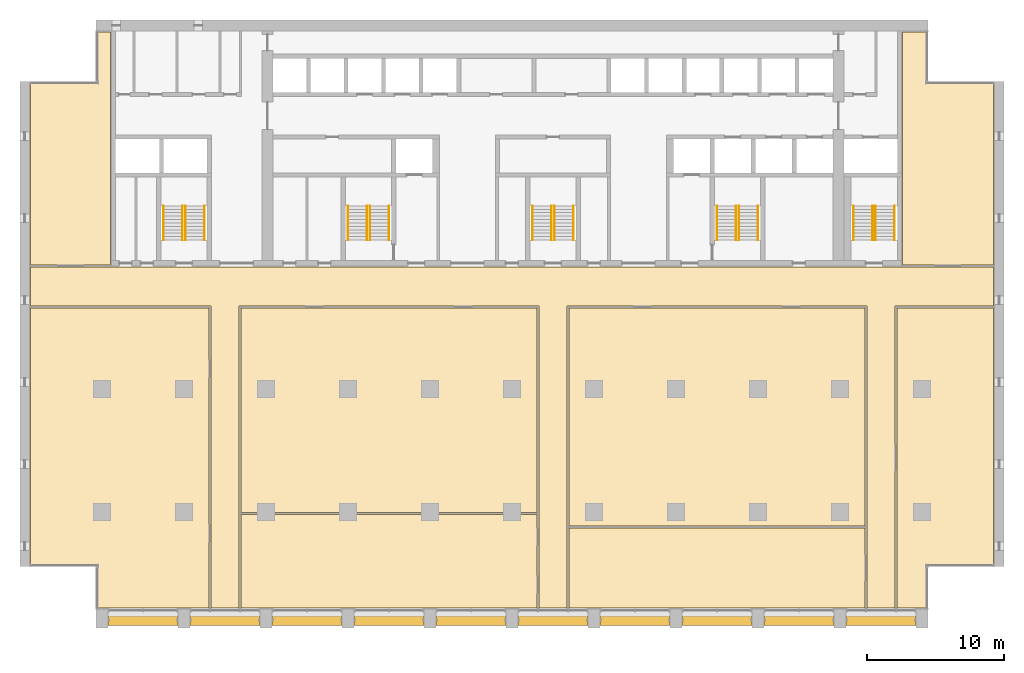
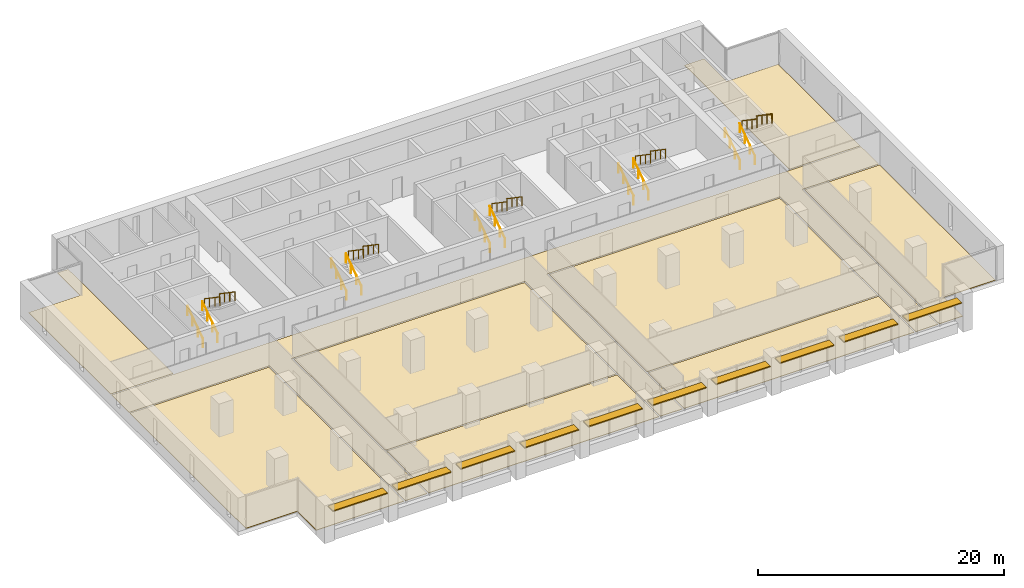
# One storey, part 15 of 15: 20 railings, 10 shading devices, 9 coverings, 5 elements without a shape of their own.
"""IFC4 building model written with IfcOpenShell, lengths in metres."""

from ifc_helpers import new_model, si_unit, direction, frame, origin, origin_2d, place, context, subcontext, project, spatial, polyline, rectangle, circle, outline, extrude, material, layer, layer_set, material_profile, profile_set, type_object, element, aggregate, save


model = new_model("IFC4")

# Units and contexts
model_context = context("Model", 3, precision=1e-05, world=origin(), true_north=direction((0.0, 1.0)))
body_context = subcontext(model_context, "Body", "Model", "MODEL_VIEW")
ifc_project = project(units=[si_unit("LENGTHUNIT", "METRE"), si_unit("AREAUNIT", "SQUARE_METRE"), si_unit("VOLUMEUNIT", "CUBIC_METRE"), si_unit("PLANEANGLEUNIT", "RADIAN"), si_unit("MASSUNIT", "GRAM", prefix="KILO")], contexts=[model_context])

# Site, building, storey
site_placement = place(None, origin())
site = spatial("IfcSite", under=ifc_project, at=site_placement, CompositionType="ELEMENT")
building_placement = place(site_placement, origin())
building = spatial("IfcBuilding", under=site, at=building_placement, Name="Calvaro Tower", CompositionType="ELEMENT")
storey_placement = place(building_placement, frame((0.0, 0.0, 117.5)))
storey = spatial("IfcBuildingStorey", under=building, at=storey_placement, Name="L29", CompositionType="ELEMENT", Elevation=117.5)

# Shading devices
ifc_material_1 = material(Name="Anodised aluminium", Category="aluminium")
ifc_material_profile = material_profile(ifc_material_1, rectangle(XDim=0.800048828125, YDim=0.10009765625, at=origin_2d()), Name="Brise-soleil blade 800 x 100")
ifc_profile_set = profile_set([ifc_material_profile], Name="Anodised aluminium")
shading_device_type = type_object("IfcShadingDeviceType", Name="Brise-soleil blade 800 x 100", PredefinedType="JALOUSIE", material=ifc_profile_set)
for number, where, z_axis, x_axis, name in (
    (1, (6.449951171875, 2.10009765625, 2.39990234375), (1.0, 0.0, 0.0), (0.0, 1.0, 0.0), "Brise-soleil blade 1"),
    (2, (12.449951171875, 2.10009765625, 2.39990234375), (1.0, 0.0, 0.0), (0.0, 1.0, 0.0), "Brise-soleil blade 2"),
    (3, (18.449951171875, 2.10009765625, 2.39990234375), (1.0, 0.0, 0.0), (0.0, 1.0, 0.0), "Brise-soleil blade 3"),
    (4, (24.449951171875, 2.10009765625, 2.39990234375), (1.0, 0.0, 0.0), (0.0, 1.0, 0.0), "Brise-soleil blade 4"),
    (5, (30.449951171875, 2.10009765625, 2.39990234375), (1.0, 0.0, 0.0), (0.0, 1.0, 0.0), "Brise-soleil blade 5"),
    (6, (36.449951171875, 2.10009765625, 2.39990234375), (1.0, 0.0, 0.0), (0.0, 1.0, 0.0), "Brise-soleil blade 6"),
    (7, (42.449951171875, 2.10009765625, 2.39990234375), (1.0, 0.0, 0.0), (0.0, 1.0, 0.0), "Brise-soleil blade 7"),
    (8, (48.449951171875, 2.10009765625, 2.39990234375), (1.0, 0.0, 0.0), (0.0, 1.0, 0.0), "Brise-soleil blade 8"),
    (9, (54.449951171875, 2.10009765625, 2.39990234375), (1.0, 0.0, 0.0), (0.0, 1.0, 0.0), "Brise-soleil blade 9"),
    (10, (60.449951171875, 2.10009765625, 2.39990234375), (1.0, 0.0, 0.0), (0.0, 1.0, 0.0), "Brise-soleil blade 10"),
):
    element("IfcShadingDevice", number, at=place(storey_placement, frame(where, z_axis=z_axis, x_axis=x_axis)), inside=storey, type_object=shading_device_type, Name=name, PredefinedType="JALOUSIE", context=body_context, shape_type="SweptSolid", body=[
        extrude(rectangle(XDim=0.800048828125, YDim=0.10009765625, at=origin_2d()), origin(), (0.0, 0.0, 1.0), 5.10009765625),
    ])

# Coverings
ifc_material_2 = material(Name="Cement screed with carpet tile finish")
ifc_layer = layer(ifc_material_2, 0.050048828125)
ifc_layer_set = layer_set([ifc_layer], Name="Cement screed with carpet tile finish")
covering_type = type_object("IfcCoveringType", Name="Floor finish 50", PredefinedType="FLOORING", material=ifc_layer_set)
covering_1_placement = place(storey_placement, origin())
element("IfcCovering", 11, at=covering_1_placement, inside=storey, type_object=covering_type, Name="Floor finish 18.01", PredefinedType="FLOORING", context=body_context, shape_type="SweptSolid", body=[
    extrude(outline(polyline([(0.77001953125, 25.070068359375), (0.77001953125, 27.929931640625), (71.22998046875, 27.929931640625), (71.22998046875, 25.070068359375), (64.030029296875, 25.070068359375), (64.030029296875, 2.969970703125), (61.969970703125, 2.969970703125), (61.969970703125, 25.070068359375), (40.030029296875, 25.070068359375), (40.030029296875, 2.969970703125), (37.969970703125, 2.969970703125), (37.969970703125, 25.070068359375), (16.030029296875, 25.070068359375), (16.030029296875, 2.969970703125), (13.969970703125, 2.969970703125), (13.969970703125, 25.070068359375), (0.77001953125, 25.070068359375)])), origin(), (0.0, 0.0, 1.0), 0.050048828125),
])
covering_2_placement = place(storey_placement, origin())
element("IfcCovering", 12, at=covering_2_placement, inside=storey, type_object=covering_type, Name="Floor finish 18.04", PredefinedType="FLOORING", context=body_context, shape_type="SweptSolid", body=[
    extrude(outline(polyline([(13.830078125, 24.929931640625), (13.830078125, 2.969970703125), (5.6201171875, 2.969970703125), (5.6201171875, 6.070068359375), (0.77001953125, 6.070068359375), (0.77001953125, 24.929931640625), (13.830078125, 24.929931640625)])), origin(), (0.0, 0.0, 1.0), 0.050048828125),
])
covering_3_placement = place(storey_placement, origin())
element("IfcCovering", 13, at=covering_3_placement, inside=storey, type_object=covering_type, Name="Floor finish 18.03", PredefinedType="FLOORING", context=body_context, shape_type="SweptSolid", body=[
    extrude(outline(polyline([(16.169921875, 9.830078125), (37.830078125, 9.830078125), (37.830078125, 2.969970703125), (16.169921875, 2.969970703125), (16.169921875, 9.830078125)])), origin(), (0.0, 0.0, 1.0), 0.050048828125),
])
covering_4_placement = place(storey_placement, origin())
element("IfcCovering", 14, at=covering_4_placement, inside=storey, type_object=covering_type, Name="Floor finish 18.07", PredefinedType="FLOORING", context=body_context, shape_type="SweptSolid", body=[
    extrude(outline(polyline([(16.169921875, 9.969970703125), (16.169921875, 24.929931640625), (37.830078125, 24.929931640625), (37.830078125, 9.969970703125), (16.169921875, 9.969970703125)])), origin(), (0.0, 0.0, 1.0), 0.050048828125),
])
covering_5_placement = place(storey_placement, origin())
element("IfcCovering", 15, at=covering_5_placement, inside=storey, type_object=covering_type, Name="Floor finish 18.02", PredefinedType="FLOORING", context=body_context, shape_type="SweptSolid", body=[
    extrude(outline(polyline([(40.169921875, 8.830078125), (61.830078125, 8.830078125), (61.830078125, 2.969970703125), (40.169921875, 2.969970703125), (40.169921875, 8.830078125)])), origin(), (0.0, 0.0, 1.0), 0.050048828125),
])
covering_6_placement = place(storey_placement, origin())
element("IfcCovering", 16, at=covering_6_placement, inside=storey, type_object=covering_type, Name="Floor finish 18.06", PredefinedType="FLOORING", context=body_context, shape_type="SweptSolid", body=[
    extrude(outline(polyline([(40.169921875, 8.969970703125), (40.169921875, 24.929931640625), (61.830078125, 24.929931640625), (61.830078125, 8.969970703125), (40.169921875, 8.969970703125)])), origin(), (0.0, 0.0, 1.0), 0.050048828125),
])
covering_7_placement = place(storey_placement, origin())
element("IfcCovering", 17, at=covering_7_placement, inside=storey, type_object=covering_type, Name="Floor finish 18.05", PredefinedType="FLOORING", context=body_context, shape_type="SweptSolid", body=[
    extrude(outline(polyline([(71.22998046875, 6.070068359375), (66.3798828125, 6.070068359375), (66.3798828125, 2.969970703125), (64.169921875, 2.969970703125), (64.169921875, 24.929931640625), (71.22998046875, 24.929931640625), (71.22998046875, 6.070068359375)])), origin(), (0.0, 0.0, 1.0), 0.050048828125),
])
covering_8_placement = place(storey_placement, origin())
element("IfcCovering", 18, at=covering_8_placement, inside=storey, type_object=covering_type, Name="Floor finish 18.08", PredefinedType="FLOORING", context=body_context, shape_type="SweptSolid", body=[
    extrude(outline(polyline([(6.6298828125, 28.070068359375), (0.77001953125, 28.070068359375), (0.77001953125, 41.429931640625), (5.6201171875, 41.429931640625), (5.6201171875, 45.1298828125), (6.6298828125, 45.1298828125), (6.6298828125, 28.070068359375)])), origin(), (0.0, 0.0, 1.0), 0.050048828125),
])
covering_9_placement = place(storey_placement, origin())
element("IfcCovering", 19, at=covering_9_placement, inside=storey, type_object=covering_type, Name="Floor finish 18.09", PredefinedType="FLOORING", context=body_context, shape_type="SweptSolid", body=[
    extrude(outline(polyline([(71.22998046875, 28.070068359375), (64.570068359375, 28.070068359375), (64.570068359375, 45.1298828125), (66.3798828125, 45.1298828125), (66.3798828125, 41.429931640625), (71.22998046875, 41.429931640625), (71.22998046875, 28.070068359375)])), origin(), (0.0, 0.0, 1.0), 0.050048828125),
])

# Stair, railings
ifc_material_3 = material(Name="Concrete C40/50", Category="concrete")
stair_type = type_object("IfcStairType", Name="Exit stair 1400 2 flights", PredefinedType="HALF_TURN_STAIR", material=ifc_material_3)
stair_1_placement = place(storey_placement, origin())
stair_1 = element("IfcStair", 20, at=stair_1_placement, inside=storey, type_object=stair_type, Name="Exit stair S1", PredefinedType="HALF_TURN_STAIR")
ifc_material_4 = material(Name="Stainless steel", Category="steel")
railing_type = type_object("IfcRailingType", Name="Stair handrail", PredefinedType="HANDRAIL", material=ifc_material_4)
railing_1_placement = place(storey_placement, frame((11.89990234375, 29.89990234375, 0.17041015625)))
railing_1 = element("IfcRailing", 21, at=railing_1_placement, type_object=railing_type, Name="Exit stair 1 handrail", PredefinedType="HANDRAIL", context=body_context, shape_type="SweptSolid", body=[
    extrude(circle(Radius=0.02392578125, at=origin_2d()), frame((0.0, 0.0, 0.8759765625), z_axis=(0.0, 0.826220514629, 0.563346839174), x_axis=(-1.0, 0.0, 0.0)), (0.0, 0.0, 1.0), 3.02587890625),
    extrude(circle(Radius=0.02099609375, at=origin_2d()), frame((0.0, 0.017333984375, 0.01171875)), (0.0, 0.0, 1.0), 0.851806640625),
    extrude(circle(Radius=0.02099609375, at=origin_2d()), frame((0.0, 0.833251953125, 0.568115234375)), (0.0, 0.0, 1.0), 0.851806640625),
    extrude(circle(Radius=0.02099609375, at=origin_2d()), frame((0.0, 1.666748046875, 1.136474609375)), (0.0, 0.0, 1.0), 0.851806640625),
    extrude(circle(Radius=0.02099609375, at=origin_2d()), frame((0.0, 2.482666015625, 1.69287109375)), (0.0, 0.0, 1.0), 0.851806640625),
])
railing_2_placement = place(storey_placement, frame((10.5, 29.89990234375, 0.17041015625)))
railing_2 = element("IfcRailing", 22, at=railing_2_placement, type_object=railing_type, Name="Exit stair 1 handrail", PredefinedType="HANDRAIL", context=body_context, shape_type="SweptSolid", body=[
    extrude(circle(Radius=0.02392578125, at=origin_2d()), frame((0.0, 0.0, 0.8759765625), z_axis=(0.0, 0.826220514629, 0.563346839174), x_axis=(-1.0, 0.0, 0.0)), (0.0, 0.0, 1.0), 3.02587890625),
    extrude(circle(Radius=0.02099609375, at=origin_2d()), frame((0.0, 0.017333984375, 0.01171875)), (0.0, 0.0, 1.0), 0.851806640625),
    extrude(circle(Radius=0.02099609375, at=origin_2d()), frame((0.0, 0.833251953125, 0.568115234375)), (0.0, 0.0, 1.0), 0.851806640625),
    extrude(circle(Radius=0.02099609375, at=origin_2d()), frame((0.0, 1.666748046875, 1.136474609375)), (0.0, 0.0, 1.0), 0.851806640625),
    extrude(circle(Radius=0.02099609375, at=origin_2d()), frame((0.0, 2.482666015625, 1.69287109375)), (0.0, 0.0, 1.0), 0.851806640625),
])
railing_3_placement = place(storey_placement, frame((12.10009765625, 32.39990234375, 2.04541015625)))
railing_3 = element("IfcRailing", 23, at=railing_3_placement, type_object=railing_type, Name="Exit stair 1 handrail", PredefinedType="HANDRAIL", context=body_context, shape_type="SweptSolid", body=[
    extrude(circle(Radius=0.02392578125, at=origin_2d()), frame((0.0, 0.0, 0.8759765625), z_axis=(0.0, -0.826220514629, 0.563346839174), x_axis=(1.0, 0.0, 0.0)), (0.0, 0.0, 1.0), 3.02587890625),
    extrude(circle(Radius=0.02099609375, at=origin_2d()), frame((0.0, -0.017333984375, 0.01171875)), (0.0, 0.0, 1.0), 0.851806640625),
    extrude(circle(Radius=0.02099609375, at=origin_2d()), frame((0.0, -0.833251953125, 0.568115234375)), (0.0, 0.0, 1.0), 0.851806640625),
    extrude(circle(Radius=0.02099609375, at=origin_2d()), frame((0.0, -1.666748046875, 1.136474609375)), (0.0, 0.0, 1.0), 0.851806640625),
    extrude(circle(Radius=0.02099609375, at=origin_2d()), frame((0.0, -2.482666015625, 1.69287109375)), (0.0, 0.0, 1.0), 0.851806640625),
])
railing_4_placement = place(storey_placement, frame((13.5, 32.39990234375, 2.04541015625)))
railing_4 = element("IfcRailing", 24, at=railing_4_placement, type_object=railing_type, Name="Exit stair 1 handrail", PredefinedType="HANDRAIL", context=body_context, shape_type="SweptSolid", body=[
    extrude(circle(Radius=0.02392578125, at=origin_2d()), frame((0.0, 0.0, 0.8759765625), z_axis=(0.0, -0.826220514629, 0.563346839174), x_axis=(1.0, 0.0, 0.0)), (0.0, 0.0, 1.0), 3.02587890625),
    extrude(circle(Radius=0.02099609375, at=origin_2d()), frame((0.0, -0.017333984375, 0.01171875)), (0.0, 0.0, 1.0), 0.851806640625),
    extrude(circle(Radius=0.02099609375, at=origin_2d()), frame((0.0, -0.833251953125, 0.568115234375)), (0.0, 0.0, 1.0), 0.851806640625),
    extrude(circle(Radius=0.02099609375, at=origin_2d()), frame((0.0, -1.666748046875, 1.136474609375)), (0.0, 0.0, 1.0), 0.851806640625),
    extrude(circle(Radius=0.02099609375, at=origin_2d()), frame((0.0, -2.482666015625, 1.69287109375)), (0.0, 0.0, 1.0), 0.851806640625),
])
aggregate(stair_1, [railing_1, railing_2, railing_3, railing_4])

stair_2_placement = place(storey_placement, origin())
stair_2 = element("IfcStair", 25, at=stair_2_placement, inside=storey, type_object=stair_type, Name="Exit stair S2", PredefinedType="HALF_TURN_STAIR")
railing_5_placement = place(storey_placement, frame((25.39990234375, 29.89990234375, 0.17041015625)))
railing_5 = element("IfcRailing", 26, at=railing_5_placement, type_object=railing_type, Name="Exit stair 2 handrail", PredefinedType="HANDRAIL", context=body_context, shape_type="SweptSolid", body=[
    extrude(circle(Radius=0.02392578125, at=origin_2d()), frame((0.0, 0.0, 0.8759765625), z_axis=(0.0, 0.826220514629, 0.563346839174), x_axis=(-1.0, 0.0, 0.0)), (0.0, 0.0, 1.0), 3.02587890625),
    extrude(circle(Radius=0.02099609375, at=origin_2d()), frame((0.0, 0.017333984375, 0.01171875)), (0.0, 0.0, 1.0), 0.851806640625),
    extrude(circle(Radius=0.02099609375, at=origin_2d()), frame((0.0, 0.833251953125, 0.568115234375)), (0.0, 0.0, 1.0), 0.851806640625),
    extrude(circle(Radius=0.02099609375, at=origin_2d()), frame((0.0, 1.666748046875, 1.136474609375)), (0.0, 0.0, 1.0), 0.851806640625),
    extrude(circle(Radius=0.02099609375, at=origin_2d()), frame((0.0, 2.482666015625, 1.69287109375)), (0.0, 0.0, 1.0), 0.851806640625),
])
railing_6_placement = place(storey_placement, frame((24.0, 29.89990234375, 0.17041015625)))
railing_6 = element("IfcRailing", 27, at=railing_6_placement, type_object=railing_type, Name="Exit stair 2 handrail", PredefinedType="HANDRAIL", context=body_context, shape_type="SweptSolid", body=[
    extrude(circle(Radius=0.02392578125, at=origin_2d()), frame((0.0, 0.0, 0.8759765625), z_axis=(0.0, 0.826220514629, 0.563346839174), x_axis=(-1.0, 0.0, 0.0)), (0.0, 0.0, 1.0), 3.02587890625),
    extrude(circle(Radius=0.02099609375, at=origin_2d()), frame((0.0, 0.017333984375, 0.01171875)), (0.0, 0.0, 1.0), 0.851806640625),
    extrude(circle(Radius=0.02099609375, at=origin_2d()), frame((0.0, 0.833251953125, 0.568115234375)), (0.0, 0.0, 1.0), 0.851806640625),
    extrude(circle(Radius=0.02099609375, at=origin_2d()), frame((0.0, 1.666748046875, 1.136474609375)), (0.0, 0.0, 1.0), 0.851806640625),
    extrude(circle(Radius=0.02099609375, at=origin_2d()), frame((0.0, 2.482666015625, 1.69287109375)), (0.0, 0.0, 1.0), 0.851806640625),
])
railing_7_placement = place(storey_placement, frame((25.60009765625, 32.39990234375, 2.04541015625)))
railing_7 = element("IfcRailing", 28, at=railing_7_placement, type_object=railing_type, Name="Exit stair 2 handrail", PredefinedType="HANDRAIL", context=body_context, shape_type="SweptSolid", body=[
    extrude(circle(Radius=0.02392578125, at=origin_2d()), frame((0.0, 0.0, 0.8759765625), z_axis=(0.0, -0.826220514629, 0.563346839174), x_axis=(1.0, 0.0, 0.0)), (0.0, 0.0, 1.0), 3.02587890625),
    extrude(circle(Radius=0.02099609375, at=origin_2d()), frame((0.0, -0.017333984375, 0.01171875)), (0.0, 0.0, 1.0), 0.851806640625),
    extrude(circle(Radius=0.02099609375, at=origin_2d()), frame((0.0, -0.833251953125, 0.568115234375)), (0.0, 0.0, 1.0), 0.851806640625),
    extrude(circle(Radius=0.02099609375, at=origin_2d()), frame((0.0, -1.666748046875, 1.136474609375)), (0.0, 0.0, 1.0), 0.851806640625),
    extrude(circle(Radius=0.02099609375, at=origin_2d()), frame((0.0, -2.482666015625, 1.69287109375)), (0.0, 0.0, 1.0), 0.851806640625),
])
railing_8_placement = place(storey_placement, frame((27.0, 32.39990234375, 2.04541015625)))
railing_8 = element("IfcRailing", 29, at=railing_8_placement, type_object=railing_type, Name="Exit stair 2 handrail", PredefinedType="HANDRAIL", context=body_context, shape_type="SweptSolid", body=[
    extrude(circle(Radius=0.02392578125, at=origin_2d()), frame((0.0, 0.0, 0.8759765625), z_axis=(0.0, -0.826220514629, 0.563346839174), x_axis=(1.0, 0.0, 0.0)), (0.0, 0.0, 1.0), 3.02587890625),
    extrude(circle(Radius=0.02099609375, at=origin_2d()), frame((0.0, -0.017333984375, 0.01171875)), (0.0, 0.0, 1.0), 0.851806640625),
    extrude(circle(Radius=0.02099609375, at=origin_2d()), frame((0.0, -0.833251953125, 0.568115234375)), (0.0, 0.0, 1.0), 0.851806640625),
    extrude(circle(Radius=0.02099609375, at=origin_2d()), frame((0.0, -1.666748046875, 1.136474609375)), (0.0, 0.0, 1.0), 0.851806640625),
    extrude(circle(Radius=0.02099609375, at=origin_2d()), frame((0.0, -2.482666015625, 1.69287109375)), (0.0, 0.0, 1.0), 0.851806640625),
])
aggregate(stair_2, [railing_5, railing_6, railing_7, railing_8])

stair_3_placement = place(storey_placement, origin())
stair_3 = element("IfcStair", 30, at=stair_3_placement, inside=storey, type_object=stair_type, Name="Exit stair S3", PredefinedType="HALF_TURN_STAIR")
railing_9_placement = place(storey_placement, frame((38.89990234375, 29.89990234375, 0.17041015625)))
railing_9 = element("IfcRailing", 31, at=railing_9_placement, type_object=railing_type, Name="Exit stair 3 handrail", PredefinedType="HANDRAIL", context=body_context, shape_type="SweptSolid", body=[
    extrude(circle(Radius=0.02392578125, at=origin_2d()), frame((0.0, 0.0, 0.8759765625), z_axis=(0.0, 0.826220514629, 0.563346839174), x_axis=(-1.0, 0.0, 0.0)), (0.0, 0.0, 1.0), 3.02587890625),
    extrude(circle(Radius=0.02099609375, at=origin_2d()), frame((0.0, 0.017333984375, 0.01171875)), (0.0, 0.0, 1.0), 0.851806640625),
    extrude(circle(Radius=0.02099609375, at=origin_2d()), frame((0.0, 0.833251953125, 0.568115234375)), (0.0, 0.0, 1.0), 0.851806640625),
    extrude(circle(Radius=0.02099609375, at=origin_2d()), frame((0.0, 1.666748046875, 1.136474609375)), (0.0, 0.0, 1.0), 0.851806640625),
    extrude(circle(Radius=0.02099609375, at=origin_2d()), frame((0.0, 2.482666015625, 1.69287109375)), (0.0, 0.0, 1.0), 0.851806640625),
])
railing_10_placement = place(storey_placement, frame((37.5, 29.89990234375, 0.17041015625)))
railing_10 = element("IfcRailing", 32, at=railing_10_placement, type_object=railing_type, Name="Exit stair 3 handrail", PredefinedType="HANDRAIL", context=body_context, shape_type="SweptSolid", body=[
    extrude(circle(Radius=0.02392578125, at=origin_2d()), frame((0.0, 0.0, 0.8759765625), z_axis=(0.0, 0.826220514629, 0.563346839174), x_axis=(-1.0, 0.0, 0.0)), (0.0, 0.0, 1.0), 3.02587890625),
    extrude(circle(Radius=0.02099609375, at=origin_2d()), frame((0.0, 0.017333984375, 0.01171875)), (0.0, 0.0, 1.0), 0.851806640625),
    extrude(circle(Radius=0.02099609375, at=origin_2d()), frame((0.0, 0.833251953125, 0.568115234375)), (0.0, 0.0, 1.0), 0.851806640625),
    extrude(circle(Radius=0.02099609375, at=origin_2d()), frame((0.0, 1.666748046875, 1.136474609375)), (0.0, 0.0, 1.0), 0.851806640625),
    extrude(circle(Radius=0.02099609375, at=origin_2d()), frame((0.0, 2.482666015625, 1.69287109375)), (0.0, 0.0, 1.0), 0.851806640625),
])
railing_11_placement = place(storey_placement, frame((39.10009765625, 32.39990234375, 2.04541015625)))
railing_11 = element("IfcRailing", 33, at=railing_11_placement, type_object=railing_type, Name="Exit stair 3 handrail", PredefinedType="HANDRAIL", context=body_context, shape_type="SweptSolid", body=[
    extrude(circle(Radius=0.02392578125, at=origin_2d()), frame((0.0, 0.0, 0.8759765625), z_axis=(0.0, -0.826220514629, 0.563346839174), x_axis=(1.0, 0.0, 0.0)), (0.0, 0.0, 1.0), 3.02587890625),
    extrude(circle(Radius=0.02099609375, at=origin_2d()), frame((0.0, -0.017333984375, 0.01171875)), (0.0, 0.0, 1.0), 0.851806640625),
    extrude(circle(Radius=0.02099609375, at=origin_2d()), frame((0.0, -0.833251953125, 0.568115234375)), (0.0, 0.0, 1.0), 0.851806640625),
    extrude(circle(Radius=0.02099609375, at=origin_2d()), frame((0.0, -1.666748046875, 1.136474609375)), (0.0, 0.0, 1.0), 0.851806640625),
    extrude(circle(Radius=0.02099609375, at=origin_2d()), frame((0.0, -2.482666015625, 1.69287109375)), (0.0, 0.0, 1.0), 0.851806640625),
])
railing_12_placement = place(storey_placement, frame((40.5, 32.39990234375, 2.04541015625)))
railing_12 = element("IfcRailing", 34, at=railing_12_placement, type_object=railing_type, Name="Exit stair 3 handrail", PredefinedType="HANDRAIL", context=body_context, shape_type="SweptSolid", body=[
    extrude(circle(Radius=0.02392578125, at=origin_2d()), frame((0.0, 0.0, 0.8759765625), z_axis=(0.0, -0.826220514629, 0.563346839174), x_axis=(1.0, 0.0, 0.0)), (0.0, 0.0, 1.0), 3.02587890625),
    extrude(circle(Radius=0.02099609375, at=origin_2d()), frame((0.0, -0.017333984375, 0.01171875)), (0.0, 0.0, 1.0), 0.851806640625),
    extrude(circle(Radius=0.02099609375, at=origin_2d()), frame((0.0, -0.833251953125, 0.568115234375)), (0.0, 0.0, 1.0), 0.851806640625),
    extrude(circle(Radius=0.02099609375, at=origin_2d()), frame((0.0, -1.666748046875, 1.136474609375)), (0.0, 0.0, 1.0), 0.851806640625),
    extrude(circle(Radius=0.02099609375, at=origin_2d()), frame((0.0, -2.482666015625, 1.69287109375)), (0.0, 0.0, 1.0), 0.851806640625),
])
aggregate(stair_3, [railing_9, railing_10, railing_11, railing_12])

stair_4_placement = place(storey_placement, origin())
stair_4 = element("IfcStair", 35, at=stair_4_placement, inside=storey, type_object=stair_type, Name="Exit stair S4", PredefinedType="HALF_TURN_STAIR")
railing_13_placement = place(storey_placement, frame((52.39990234375, 29.89990234375, 0.17041015625)))
railing_13 = element("IfcRailing", 36, at=railing_13_placement, type_object=railing_type, Name="Exit stair 4 handrail", PredefinedType="HANDRAIL", context=body_context, shape_type="SweptSolid", body=[
    extrude(circle(Radius=0.02392578125, at=origin_2d()), frame((0.0, 0.0, 0.8759765625), z_axis=(0.0, 0.826220514629, 0.563346839174), x_axis=(-1.0, 0.0, 0.0)), (0.0, 0.0, 1.0), 3.02587890625),
    extrude(circle(Radius=0.02099609375, at=origin_2d()), frame((0.0, 0.017333984375, 0.01171875)), (0.0, 0.0, 1.0), 0.851806640625),
    extrude(circle(Radius=0.02099609375, at=origin_2d()), frame((0.0, 0.833251953125, 0.568115234375)), (0.0, 0.0, 1.0), 0.851806640625),
    extrude(circle(Radius=0.02099609375, at=origin_2d()), frame((0.0, 1.666748046875, 1.136474609375)), (0.0, 0.0, 1.0), 0.851806640625),
    extrude(circle(Radius=0.02099609375, at=origin_2d()), frame((0.0, 2.482666015625, 1.69287109375)), (0.0, 0.0, 1.0), 0.851806640625),
])
railing_14_placement = place(storey_placement, frame((51.0, 29.89990234375, 0.17041015625)))
railing_14 = element("IfcRailing", 37, at=railing_14_placement, type_object=railing_type, Name="Exit stair 4 handrail", PredefinedType="HANDRAIL", context=body_context, shape_type="SweptSolid", body=[
    extrude(circle(Radius=0.02392578125, at=origin_2d()), frame((0.0, 0.0, 0.8759765625), z_axis=(0.0, 0.826220514629, 0.563346839174), x_axis=(-1.0, 0.0, 0.0)), (0.0, 0.0, 1.0), 3.02587890625),
    extrude(circle(Radius=0.02099609375, at=origin_2d()), frame((0.0, 0.017333984375, 0.01171875)), (0.0, 0.0, 1.0), 0.851806640625),
    extrude(circle(Radius=0.02099609375, at=origin_2d()), frame((0.0, 0.833251953125, 0.568115234375)), (0.0, 0.0, 1.0), 0.851806640625),
    extrude(circle(Radius=0.02099609375, at=origin_2d()), frame((0.0, 1.666748046875, 1.136474609375)), (0.0, 0.0, 1.0), 0.851806640625),
    extrude(circle(Radius=0.02099609375, at=origin_2d()), frame((0.0, 2.482666015625, 1.69287109375)), (0.0, 0.0, 1.0), 0.851806640625),
])
railing_15_placement = place(storey_placement, frame((52.60009765625, 32.39990234375, 2.04541015625)))
railing_15 = element("IfcRailing", 38, at=railing_15_placement, type_object=railing_type, Name="Exit stair 4 handrail", PredefinedType="HANDRAIL", context=body_context, shape_type="SweptSolid", body=[
    extrude(circle(Radius=0.02392578125, at=origin_2d()), frame((0.0, 0.0, 0.8759765625), z_axis=(0.0, -0.826220514629, 0.563346839174), x_axis=(1.0, 0.0, 0.0)), (0.0, 0.0, 1.0), 3.02587890625),
    extrude(circle(Radius=0.02099609375, at=origin_2d()), frame((0.0, -0.017333984375, 0.01171875)), (0.0, 0.0, 1.0), 0.851806640625),
    extrude(circle(Radius=0.02099609375, at=origin_2d()), frame((0.0, -0.833251953125, 0.568115234375)), (0.0, 0.0, 1.0), 0.851806640625),
    extrude(circle(Radius=0.02099609375, at=origin_2d()), frame((0.0, -1.666748046875, 1.136474609375)), (0.0, 0.0, 1.0), 0.851806640625),
    extrude(circle(Radius=0.02099609375, at=origin_2d()), frame((0.0, -2.482666015625, 1.69287109375)), (0.0, 0.0, 1.0), 0.851806640625),
])
railing_16_placement = place(storey_placement, frame((54.0, 32.39990234375, 2.04541015625)))
railing_16 = element("IfcRailing", 39, at=railing_16_placement, type_object=railing_type, Name="Exit stair 4 handrail", PredefinedType="HANDRAIL", context=body_context, shape_type="SweptSolid", body=[
    extrude(circle(Radius=0.02392578125, at=origin_2d()), frame((0.0, 0.0, 0.8759765625), z_axis=(0.0, -0.826220514629, 0.563346839174), x_axis=(1.0, 0.0, 0.0)), (0.0, 0.0, 1.0), 3.02587890625),
    extrude(circle(Radius=0.02099609375, at=origin_2d()), frame((0.0, -0.017333984375, 0.01171875)), (0.0, 0.0, 1.0), 0.851806640625),
    extrude(circle(Radius=0.02099609375, at=origin_2d()), frame((0.0, -0.833251953125, 0.568115234375)), (0.0, 0.0, 1.0), 0.851806640625),
    extrude(circle(Radius=0.02099609375, at=origin_2d()), frame((0.0, -1.666748046875, 1.136474609375)), (0.0, 0.0, 1.0), 0.851806640625),
    extrude(circle(Radius=0.02099609375, at=origin_2d()), frame((0.0, -2.482666015625, 1.69287109375)), (0.0, 0.0, 1.0), 0.851806640625),
])
aggregate(stair_4, [railing_13, railing_14, railing_15, railing_16])

stair_5_placement = place(storey_placement, origin())
stair_5 = element("IfcStair", 40, at=stair_5_placement, inside=storey, type_object=stair_type, Name="Exit stair S5", PredefinedType="HALF_TURN_STAIR")
railing_17_placement = place(storey_placement, frame((62.39990234375, 29.89990234375, 0.17041015625)))
railing_17 = element("IfcRailing", 41, at=railing_17_placement, type_object=railing_type, Name="Exit stair 5 handrail", PredefinedType="HANDRAIL", context=body_context, shape_type="SweptSolid", body=[
    extrude(circle(Radius=0.02392578125, at=origin_2d()), frame((0.0, 0.0, 0.8759765625), z_axis=(0.0, 0.826220514629, 0.563346839174), x_axis=(-1.0, 0.0, 0.0)), (0.0, 0.0, 1.0), 3.02587890625),
    extrude(circle(Radius=0.02099609375, at=origin_2d()), frame((0.0, 0.017333984375, 0.01171875)), (0.0, 0.0, 1.0), 0.851806640625),
    extrude(circle(Radius=0.02099609375, at=origin_2d()), frame((0.0, 0.833251953125, 0.568115234375)), (0.0, 0.0, 1.0), 0.851806640625),
    extrude(circle(Radius=0.02099609375, at=origin_2d()), frame((0.0, 1.666748046875, 1.136474609375)), (0.0, 0.0, 1.0), 0.851806640625),
    extrude(circle(Radius=0.02099609375, at=origin_2d()), frame((0.0, 2.482666015625, 1.69287109375)), (0.0, 0.0, 1.0), 0.851806640625),
])
railing_18_placement = place(storey_placement, frame((61.0, 29.89990234375, 0.17041015625)))
railing_18 = element("IfcRailing", 42, at=railing_18_placement, type_object=railing_type, Name="Exit stair 5 handrail", PredefinedType="HANDRAIL", context=body_context, shape_type="SweptSolid", body=[
    extrude(circle(Radius=0.02392578125, at=origin_2d()), frame((0.0, 0.0, 0.8759765625), z_axis=(0.0, 0.826220514629, 0.563346839174), x_axis=(-1.0, 0.0, 0.0)), (0.0, 0.0, 1.0), 3.02587890625),
    extrude(circle(Radius=0.02099609375, at=origin_2d()), frame((0.0, 0.017333984375, 0.01171875)), (0.0, 0.0, 1.0), 0.851806640625),
    extrude(circle(Radius=0.02099609375, at=origin_2d()), frame((0.0, 0.833251953125, 0.568115234375)), (0.0, 0.0, 1.0), 0.851806640625),
    extrude(circle(Radius=0.02099609375, at=origin_2d()), frame((0.0, 1.666748046875, 1.136474609375)), (0.0, 0.0, 1.0), 0.851806640625),
    extrude(circle(Radius=0.02099609375, at=origin_2d()), frame((0.0, 2.482666015625, 1.69287109375)), (0.0, 0.0, 1.0), 0.851806640625),
])
railing_19_placement = place(storey_placement, frame((62.60009765625, 32.39990234375, 2.04541015625)))
railing_19 = element("IfcRailing", 43, at=railing_19_placement, type_object=railing_type, Name="Exit stair 5 handrail", PredefinedType="HANDRAIL", context=body_context, shape_type="SweptSolid", body=[
    extrude(circle(Radius=0.02392578125, at=origin_2d()), frame((0.0, 0.0, 0.8759765625), z_axis=(0.0, -0.826220514629, 0.563346839174), x_axis=(1.0, 0.0, 0.0)), (0.0, 0.0, 1.0), 3.02587890625),
    extrude(circle(Radius=0.02099609375, at=origin_2d()), frame((0.0, -0.017333984375, 0.01171875)), (0.0, 0.0, 1.0), 0.851806640625),
    extrude(circle(Radius=0.02099609375, at=origin_2d()), frame((0.0, -0.833251953125, 0.568115234375)), (0.0, 0.0, 1.0), 0.851806640625),
    extrude(circle(Radius=0.02099609375, at=origin_2d()), frame((0.0, -1.666748046875, 1.136474609375)), (0.0, 0.0, 1.0), 0.851806640625),
    extrude(circle(Radius=0.02099609375, at=origin_2d()), frame((0.0, -2.482666015625, 1.69287109375)), (0.0, 0.0, 1.0), 0.851806640625),
])
railing_20_placement = place(storey_placement, frame((64.0, 32.39990234375, 2.04541015625)))
railing_20 = element("IfcRailing", 44, at=railing_20_placement, type_object=railing_type, Name="Exit stair 5 handrail", PredefinedType="HANDRAIL", context=body_context, shape_type="SweptSolid", body=[
    extrude(circle(Radius=0.02392578125, at=origin_2d()), frame((0.0, 0.0, 0.8759765625), z_axis=(0.0, -0.826220514629, 0.563346839174), x_axis=(1.0, 0.0, 0.0)), (0.0, 0.0, 1.0), 3.02587890625),
    extrude(circle(Radius=0.02099609375, at=origin_2d()), frame((0.0, -0.017333984375, 0.01171875)), (0.0, 0.0, 1.0), 0.851806640625),
    extrude(circle(Radius=0.02099609375, at=origin_2d()), frame((0.0, -0.833251953125, 0.568115234375)), (0.0, 0.0, 1.0), 0.851806640625),
    extrude(circle(Radius=0.02099609375, at=origin_2d()), frame((0.0, -1.666748046875, 1.136474609375)), (0.0, 0.0, 1.0), 0.851806640625),
    extrude(circle(Radius=0.02099609375, at=origin_2d()), frame((0.0, -2.482666015625, 1.69287109375)), (0.0, 0.0, 1.0), 0.851806640625),
])
aggregate(stair_5, [railing_17, railing_18, railing_19, railing_20])

save(model, "model.ifc")
